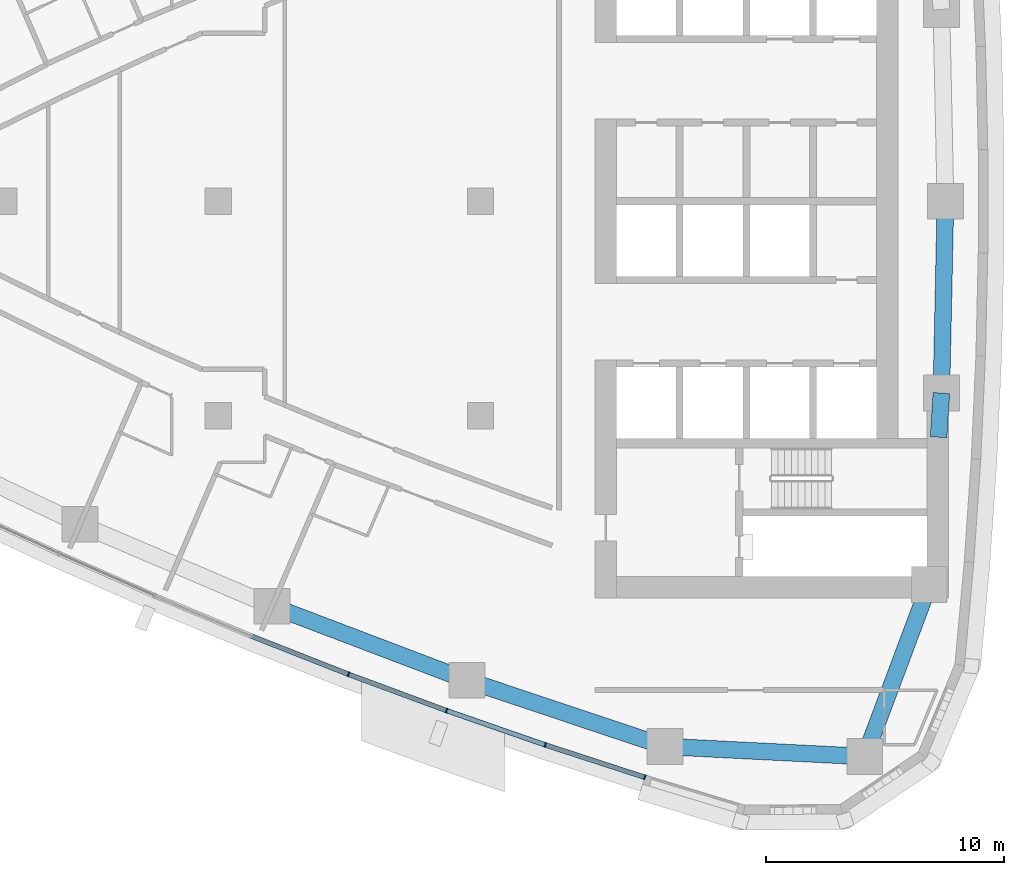
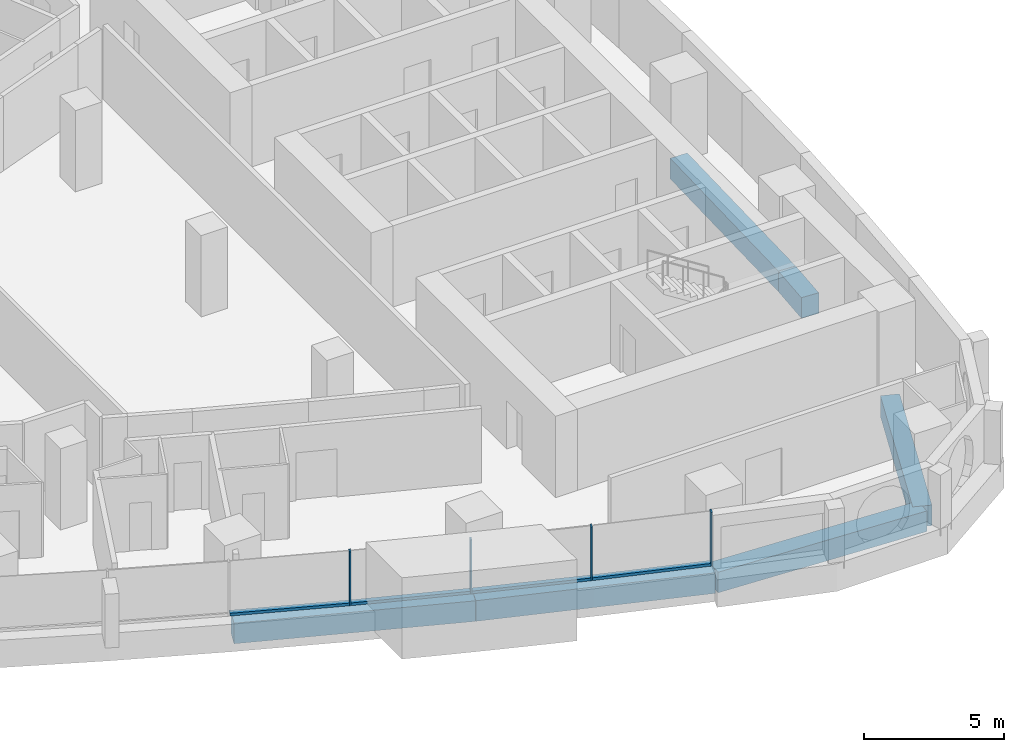
# One storey, part 3 of 16: 8 members, 6 beams, 2 elements without a shape of their own.
"""IFC4 building model written with IfcOpenShell, lengths in metres."""

import ifcopenshell
import ifcopenshell.guid

model = None  # the IFC model being written
_history = None  # IfcOwnerHistory: only IFC2X3 demands one
_inside = {}  # id of a spatial element -> (the spatial element, [elements in it])
_under = {}  # id of a project, library or spatial element -> (it, [spatial elements below it])
_declared = {}  # id of a project -> (the project, [libraries it declares])
_typed = {}  # id of a type object -> (the type object, [elements of that type])
_made_of = {}  # id of a material, layer set ... -> (it, [elements and type objects made of it])


def new_model(schema):
    """Start an empty IFC model of exactly this schema.

    Asked for "IFC4X3", IfcOpenShell would pick the latest addendum, in which some entities
    have other attributes; the version numbers below select the first issue.
    IFC2X3 requires an IfcOwnerHistory on every rooted entity: one is made here for all.
    """
    global model, _history
    if schema == "IFC4X3":
        model = ifcopenshell.file(schema_version=(4, 3, 0, 0))
    else:
        model = ifcopenshell.file(schema=schema)
    _inside.clear()
    _under.clear()
    _declared.clear()
    _typed.clear()
    _made_of.clear()
    _history = None
    if model.schema == "IFC2X3":
        org = make("IfcOrganization", Name="unknown")
        user = make(
            "IfcPersonAndOrganization",
            ThePerson=make("IfcPerson", FamilyName="unknown"),
            TheOrganization=org,
        )
        app = make(
            "IfcApplication",
            ApplicationDeveloper=org,
            Version="unknown",
            ApplicationFullName="unknown",
            ApplicationIdentifier="unknown",
        )
        _history = make(
            "IfcOwnerHistory",
            OwningUser=user,
            OwningApplication=app,
            ChangeAction="ADDED",
            CreationDate=0,
        )
    return model


def make(cls, **values):
    """One entity of the class cls with the attributes given. An attribute that is None is left unset."""
    return model.create_entity(
        cls, **{name: value for name, value in values.items() if value is not None}
    )


def rooted(cls, **values):
    """An entity with a GlobalId (a new one), such as an element, a storey or a relation."""
    return make(cls, GlobalId=ifcopenshell.guid.new(), OwnerHistory=_history, **values)


def si_unit(unit_type, name, prefix=None):
    """IfcSIUnit, for example si_unit("LENGTHUNIT", "METRE", prefix="MILLI")."""
    return make("IfcSIUnit", UnitType=unit_type, Prefix=prefix, Name=name)


def assignment(units):
    """IfcUnitAssignment: the units of a project."""
    return None if units is None else make("IfcUnitAssignment", Units=units)


def point(xyz):
    """IfcCartesianPoint."""
    return None if xyz is None else make("IfcCartesianPoint", Coordinates=xyz)


def direction(xyz):
    """IfcDirection."""
    return None if xyz is None else make("IfcDirection", DirectionRatios=xyz)


def frame(location, z_axis=None, x_axis=None):
    """IfcAxis2Placement3D, a coordinate frame: its origin and axes. An axis left out is left unset."""
    return make(
        "IfcAxis2Placement3D",
        Location=point(location),
        Axis=direction(z_axis),
        RefDirection=direction(x_axis),
    )


def frame_2d(location, x_axis=None):
    """IfcAxis2Placement2D, a coordinate frame in the plane: its origin and x axis."""
    return make(
        "IfcAxis2Placement2D", Location=point(location), RefDirection=direction(x_axis)
    )


def origin():
    """The frame at (0, 0, 0) with its axes left unset."""
    return frame((0.0, 0.0, 0.0))


def origin_2d():
    """The frame at (0, 0) in the plane with its x axis left unset."""
    return frame_2d((0.0, 0.0))


def place(relative_to, where):
    """IfcLocalPlacement: puts the frame where relative to a parent placement (None: the world)."""
    return make(
        "IfcLocalPlacement", PlacementRelTo=relative_to, RelativePlacement=where
    )


def context(
    kind, dimensions, precision=None, world=None, true_north=None, identifier=None
):
    """IfcGeometricRepresentationContext, for example the 3D "Model" context."""
    return make(
        "IfcGeometricRepresentationContext",
        ContextIdentifier=identifier,
        ContextType=kind,
        CoordinateSpaceDimension=dimensions,
        Precision=precision,
        WorldCoordinateSystem=world,
        TrueNorth=true_north,
    )


def subcontext(parent, identifier, kind, view, scale=None):
    """IfcGeometricRepresentationSubContext, for example "Body" below "Model"."""
    return make(
        "IfcGeometricRepresentationSubContext",
        ContextIdentifier=identifier,
        ContextType=kind,
        ParentContext=parent,
        TargetScale=scale,
        TargetView=view,
    )


def project(units=None, contexts=None):
    """IfcProject with its units and contexts."""
    return rooted(
        "IfcProject",
        Name="project",
        RepresentationContexts=contexts,
        UnitsInContext=assignment(units),
    )


def spatial(cls, under=None, at=None, **own):
    """A site, building, storey or space (cls), placed at a placement, below another one or the project."""
    s = rooted(cls, ObjectPlacement=at, **own)
    if under is not None:
        _under.setdefault(under.id(), (under, []))[1].append(s)
    return s


def profile(cls, at=None, kind="AREA", **sizes):
    """A parametric profile (cls). Its sizes go by their IFC names, for example OverallWidth=200.0."""
    return make(cls, ProfileType=kind, Position=at, **sizes)


def rectangle(**sizes):
    """IfcRectangleProfileDef."""
    return profile("IfcRectangleProfileDef", **sizes)


def extrude(swept, where, along, depth):
    """IfcExtrudedAreaSolid: the profile swept, set in the frame where, extruded along a direction by depth."""
    return make(
        "IfcExtrudedAreaSolid",
        SweptArea=swept,
        Position=where,
        ExtrudedDirection=direction(along),
        Depth=depth,
    )


def shape(context_of_items, identifier, shape_type, items):
    """IfcShapeRepresentation: the items that make up one representation, for example the "Body"."""
    return make(
        "IfcShapeRepresentation",
        ContextOfItems=context_of_items,
        RepresentationIdentifier=identifier,
        RepresentationType=shape_type,
        Items=items,
    )


def material(Name=None, Category=None):
    """IfcMaterial."""
    return make("IfcMaterial", Name=Name, Category=Category)


def layer(
    of_material, thickness, ventilated=None, Name=None, Category=None, Priority=None
):
    """IfcMaterialLayer: one layer of a wall or slab, of a material (None: an air gap)."""
    return make(
        "IfcMaterialLayer",
        Material=of_material,
        LayerThickness=thickness,
        IsVentilated=ventilated,
        Name=Name,
        Category=Category,
        Priority=Priority,
    )


def layer_set(layers, Name=None):
    """IfcMaterialLayerSet."""
    return make("IfcMaterialLayerSet", MaterialLayers=layers, LayerSetName=Name)


def material_profile(
    of_material, cross_section, Name=None, Category=None, Priority=None
):
    """IfcMaterialProfile: a cross section and its material."""
    return make(
        "IfcMaterialProfile",
        Name=Name,
        Material=of_material,
        Profile=cross_section,
        Priority=Priority,
        Category=Category,
    )


def profile_set(profiles, Name=None, composite=None):
    """IfcMaterialProfileSet."""
    return make(
        "IfcMaterialProfileSet",
        Name=Name,
        MaterialProfiles=profiles,
        CompositeProfile=composite,
    )


def made_of(thing, what):
    """Note that an element or type object is made of a material, layer set ...; save() writes the relation."""
    if what is not None:
        _made_of.setdefault(what.id(), (what, []))[1].append(thing)
    return thing


def type_object(cls, material=None, **own):
    """A type object (cls), such as IfcWallType, which elements share."""
    return made_of(rooted(cls, **own), material)


def element(
    cls,
    number,
    at=None,
    inside=None,
    cuts=None,
    type_object=None,
    material=None,
    context=None,
    identifier="Body",
    shape_type=None,
    held_by="IfcProductDefinitionShape",
    body=None,
    shapes=None,
    **own,
):
    """One element of the class cls, such as IfcWall. Its Tag is "e" and its number.

    at: its placement. inside: the storey or other place that contains it. cuts: it is an
    opening in that element (IfcRelVoidsElement). A single representation is given by context,
    identifier, shape_type and body (its items); several are given by shapes. held_by: the class
    of the entity that holds the representations. save() writes the other relations.
    """
    e = rooted(cls, Tag="e%d" % number, ObjectPlacement=at, **own)
    if body is not None:
        shapes = [shape(context, identifier, shape_type, body)]
    if shapes is not None:
        e.Representation = make(held_by, Representations=shapes)
    if inside is not None:
        _inside.setdefault(inside.id(), (inside, []))[1].append(e)
    if cuts is not None:
        rooted(
            "IfcRelVoidsElement", RelatingBuildingElement=cuts, RelatedOpeningElement=e
        )
    if type_object is not None:
        _typed.setdefault(type_object.id(), (type_object, []))[1].append(e)
    return made_of(e, material)


def aggregate(whole, parts):
    """IfcRelAggregates: a whole, such as a stair, and the parts it consists of."""
    return rooted("IfcRelAggregates", RelatingObject=whole, RelatedObjects=parts)


def save(model, path):
    """Write the relations noted so far, then the file.

    IfcRelAggregates (storeys below a building ...), IfcRelContainedInSpatialStructure (elements
    in a storey), IfcRelDefinesByType, IfcRelAssociatesMaterial and IfcRelDeclares: one each for
    every whole, place, type object, material and project.
    """
    for whole, parts in _under.values():
        aggregate(whole, parts)
    for where, things in _inside.values():
        rooted(
            "IfcRelContainedInSpatialStructure",
            RelatedElements=things,
            RelatingStructure=where,
        )
    for kind, things in _typed.values():
        rooted("IfcRelDefinesByType", RelatedObjects=things, RelatingType=kind)
    for what, things in _made_of.values():
        rooted("IfcRelAssociatesMaterial", RelatedObjects=things, RelatingMaterial=what)
    for by, libraries in _declared.values():
        rooted("IfcRelDeclares", RelatingContext=by, RelatedDefinitions=libraries)
    model.write(path)


model = new_model("IFC4")

# Units and contexts
model_context = context("Model", 3, precision=1e-05, world=origin(), true_north=direction((0.0, 1.0)))
body_context = subcontext(model_context, "Body", "Model", "MODEL_VIEW")
ifc_project = project(units=[si_unit("LENGTHUNIT", "METRE"), si_unit("AREAUNIT", "SQUARE_METRE"), si_unit("VOLUMEUNIT", "CUBIC_METRE"), si_unit("PLANEANGLEUNIT", "RADIAN"), si_unit("MASSUNIT", "GRAM", prefix="KILO")], contexts=[model_context])

# Site, building, storey
site_placement = place(None, origin())
site = spatial("IfcSite", under=ifc_project, at=site_placement, CompositionType="ELEMENT")
building_placement = place(site_placement, origin())
building = spatial("IfcBuilding", under=site, at=building_placement, Name="Ostrand Prow Hotel Tower", CompositionType="ELEMENT")
storey_placement = place(building_placement, frame((0.0, 0.0, 147.949951171875)))
storey = spatial("IfcBuildingStorey", under=building, at=storey_placement, Name="L36", CompositionType="ELEMENT", Elevation=147.949951171875)

# Beams
ifc_material_1 = material(Name="Concrete C70/85", Category="concrete")
ifc_material_profile_1 = material_profile(ifc_material_1, rectangle(XDim=0.699951171875, YDim=0.89990234375, at=origin_2d()), Name="RC 700x900")
ifc_profile_set_1 = profile_set([ifc_material_profile_1], Name="Concrete C70/85")
beam_type = type_object("IfcBeamType", Name="Edge beam 700x900 C70/85", PredefinedType="SPANDREL", material=ifc_profile_set_1)
for number, where, z_axis, x_axis, name in (
    (1, (36.255615234375, -16.98388671875, -0.75), (0.93479358236, -0.355191439055, 0.0), (0.355191439055, 0.93479358236, 0.0), "Edge beam S4-S5"),
    (2, (44.438232421875, -20.093017578125, -0.75), (0.948376051094, -0.317148018616, 0.0), (0.317148018616, 0.948376051094, 0.0), "Edge beam S5-S6"),
):
    element("IfcBeam", number, at=place(storey_placement, frame(where, z_axis=z_axis, x_axis=x_axis)), inside=storey, type_object=beam_type, Name=name, PredefinedType="SPANDREL", context=body_context, shape_type="SweptSolid", body=[
        extrude(rectangle(XDim=0.699951171875, YDim=0.89990234375, at=origin_2d()), origin(), (0.0, 0.0, 1.0), 8.75341796875),
    ])
beam_1_placement = place(storey_placement, frame((52.73974609375, -22.869140625, -0.75), z_axis=(0.99873741544, -0.050235196825, 0.0), x_axis=(0.050235196825, 0.99873741544, 0.0)))
element("IfcBeam", 3, at=beam_1_placement, inside=storey, type_object=beam_type, Name="Edge beam S6-SE", PredefinedType="SPANDREL", context=body_context, shape_type="SweptSolid", body=[
    extrude(rectangle(XDim=0.699951171875, YDim=0.89990234375, at=origin_2d()), origin(), (0.0, 0.0, 1.0), 8.38818359375),
])
beam_2_placement = place(storey_placement, frame((61.117431640625, -23.29052734375, -0.75), z_axis=(0.350602524344, 0.93652435629, 0.0), x_axis=(-0.93652435629, 0.350602524344, 0.0)))
element("IfcBeam", 4, at=beam_2_placement, inside=storey, type_object=beam_type, Name="Edge beam SE-B1", PredefinedType="SPANDREL", context=body_context, shape_type="SweptSolid", body=[
    extrude(rectangle(XDim=0.699951171875, YDim=0.89990234375, at=origin_2d()), origin(), (0.0, 0.0, 1.0), 7.037353515625),
])
beam_3_placement = place(storey_placement, frame((64.21142578125, -9.89990234375, -0.75), z_axis=(0.063563790544, 0.997977777574, 0.0), x_axis=(-0.997977777574, 0.063563790544, 0.0)))
element("IfcBeam", 5, at=beam_3_placement, inside=storey, type_object=beam_type, Name="Edge beam B1-B2", PredefinedType="SPANDREL", context=body_context, shape_type="SweptSolid", body=[
    extrude(rectangle(XDim=0.699951171875, YDim=0.89990234375, at=origin_2d()), origin(), (0.0, 0.0, 1.0), 1.85888671875),
])
beam_4_placement = place(storey_placement, frame((64.32958984375, -8.044677734375, -0.75), z_axis=(0.021178217658, 0.999775716397, 0.0), x_axis=(-0.999775716397, 0.021178217658, 0.0)))
element("IfcBeam", 6, at=beam_4_placement, inside=storey, type_object=beam_type, Name="Edge beam B2-B3", PredefinedType="SPANDREL", context=body_context, shape_type="SweptSolid", body=[
    extrude(rectangle(XDim=0.699951171875, YDim=0.89990234375, at=origin_2d()), origin(), (0.0, 0.0, 1.0), 8.04638671875),
])

# Curtain wall, members
ifc_material_2 = material(Name="Insulated glass in bronze anodised frame", Category="glass")
ifc_layer = layer(ifc_material_2, 0.199951171875)
ifc_layer_set = layer_set([ifc_layer], Name="Insulated glass in bronze anodised frame")
curtain_wall_type = type_object("IfcCurtainWallType", Name="Strip curtain wall, fritted glass over bronze spandrel", PredefinedType="NOTDEFINED", material=ifc_layer_set)
curtain_wall_1_placement = place(storey_placement, origin())
curtain_wall_1 = element("IfcCurtainWall", 7, at=curtain_wall_1_placement, inside=storey, type_object=curtain_wall_type, Name="CW1 run CWS4", PredefinedType="NOTDEFINED")
ifc_material_3 = material(Name="Bronze anodised aluminium", Category="aluminium")
ifc_material_profile_2 = material_profile(ifc_material_3, rectangle(XDim=0.199951171875, YDim=0.06005859375, at=origin_2d()), Name="Mullion 60x200 bronze anodised aluminium")
ifc_profile_set_2 = profile_set([ifc_material_profile_2], Name="Bronze anodised aluminium")
member_type_1 = type_object("IfcMemberType", Name="Mullion 60x200 bronze anodised aluminium", PredefinedType="MULLION", material=ifc_profile_set_2)
member_1_placement = place(storey_placement, frame((39.462158203125, -19.8408203125, 0.900146484375), z_axis=(0.0, 0.0, 1.0), x_axis=(0.347341576459, 0.937738678558, 0.0)))
member_1 = element("IfcMember", 8, at=member_1_placement, type_object=member_type_1, Name="CW1 mullion 2", PredefinedType="MULLION", context=body_context, shape_type="SweptSolid", body=[
    extrude(rectangle(XDim=0.199951171875, YDim=0.06005859375, at=origin_2d()), origin(), (0.0, 0.0, 1.0), 2.349853515625),
])
member_2_placement = place(storey_placement, frame((43.5751953125, -21.3642578125, 0.900146484375), z_axis=(0.0, 0.0, 1.0), x_axis=(0.347341576459, 0.937738678558, 0.0)))
member_2 = element("IfcMember", 9, at=member_2_placement, type_object=member_type_1, Name="CW1 mullion 3", PredefinedType="MULLION", context=body_context, shape_type="SweptSolid", body=[
    extrude(rectangle(XDim=0.199951171875, YDim=0.06005859375, at=origin_2d()), origin(), (0.0, 0.0, 1.0), 2.349853515625),
])

curtain_wall_2_placement = place(storey_placement, origin())
curtain_wall_2 = element("IfcCurtainWall", 10, at=curtain_wall_2_placement, inside=storey, type_object=curtain_wall_type, Name="CW1 run CWS5", PredefinedType="NOTDEFINED")
member_3_placement = place(storey_placement, frame((47.718017578125, -22.8046875, 0.900146484375), z_axis=(0.0, 0.0, 1.0), x_axis=(0.309380491373, 0.950938332153, 0.0)))
member_3 = element("IfcMember", 11, at=member_3_placement, type_object=member_type_1, Name="CW1 mullion 2", PredefinedType="MULLION", context=body_context, shape_type="SweptSolid", body=[
    extrude(rectangle(XDim=0.199951171875, YDim=0.06005859375, at=origin_2d()), origin(), (0.0, 0.0, 1.0), 2.349853515625),
])
member_4_placement = place(storey_placement, frame((51.888916015625, -24.16162109375, 0.900146484375), z_axis=(0.0, 0.0, 1.0), x_axis=(0.309380491373, 0.950938332153, 0.0)))
member_4 = element("IfcMember", 12, at=member_4_placement, type_object=member_type_1, Name="CW1 mullion 3", PredefinedType="MULLION", context=body_context, shape_type="SweptSolid", body=[
    extrude(rectangle(XDim=0.199951171875, YDim=0.06005859375, at=origin_2d()), origin(), (0.0, 0.0, 1.0), 2.349853515625),
])

# Member
ifc_material_4 = material(Name="Bronze anodised aluminium", Category="aluminium")
ifc_material_profile_3 = material_profile(ifc_material_4, rectangle(XDim=0.199951171875, YDim=0.1201171875, at=origin_2d()), Name="Transom 120x200 bronze anodised aluminium")
ifc_profile_set_3 = profile_set([ifc_material_profile_3], Name="Bronze anodised aluminium")
member_type_2 = type_object("IfcMemberType", Name="Transom 120x200 bronze anodised aluminium", PredefinedType="USERDEFINED", material=ifc_profile_set_3)
member_5_placement = place(storey_placement, frame((35.408447265625, -18.245849609375, 0.9599609375), z_axis=(0.930563430162, -0.366130717701, 0.0), x_axis=(0.366130717701, 0.930563430162, 0.0)))
member_5 = element("IfcMember", 13, at=member_5_placement, type_object=member_type_2, Name="CW1 transom 1.1", ObjectType="TRANSOM", PredefinedType="USERDEFINED", context=body_context, shape_type="SweptSolid", body=[
    extrude(rectangle(XDim=0.199951171875, YDim=0.1201171875, at=origin_2d()), origin(), (0.0, 0.0, 1.0), 4.326171875),
])

member_6_placement = place(storey_placement, frame((39.490234375, -19.851318359375, 0.9599609375), z_axis=(0.937756929379, -0.347292299657, 0.0), x_axis=(0.347292299657, 0.937756929379, 0.0)))
member_6 = element("IfcMember", 14, at=member_6_placement, type_object=member_type_2, Name="CW1 transom 2.1", ObjectType="TRANSOM", PredefinedType="USERDEFINED", context=body_context, shape_type="SweptSolid", body=[
    extrude(rectangle(XDim=0.199951171875, YDim=0.1201171875, at=origin_2d()), origin(), (0.0, 0.0, 1.0), 4.326171875),
])

aggregate(curtain_wall_1, [member_1, member_2, member_5, member_6])

member_7_placement = place(storey_placement, frame((43.603515625, -21.3740234375, 0.9599609375), z_axis=(0.944524201162, -0.328441826538, 0.0), x_axis=(0.328441826538, 0.944524201162, 0.0)))
member_7 = element("IfcMember", 15, at=member_7_placement, type_object=member_type_2, Name="CW1 transom 1.1", ObjectType="TRANSOM", PredefinedType="USERDEFINED", context=body_context, shape_type="SweptSolid", body=[
    extrude(rectangle(XDim=0.199951171875, YDim=0.1201171875, at=origin_2d()), origin(), (0.0, 0.0, 1.0), 4.326171875),
])

member_8_placement = place(storey_placement, frame((47.74658203125, -22.81396484375, 0.9599609375), z_axis=(0.950938634958, -0.309379560643, 0.0), x_axis=(0.309379560643, 0.950938634958, 0.0)))
member_8 = element("IfcMember", 16, at=member_8_placement, type_object=member_type_2, Name="CW1 transom 2.1", ObjectType="TRANSOM", PredefinedType="USERDEFINED", context=body_context, shape_type="SweptSolid", body=[
    extrude(rectangle(XDim=0.199951171875, YDim=0.1201171875, at=origin_2d()), origin(), (0.0, 0.0, 1.0), 4.325927734375),
])

aggregate(curtain_wall_2, [member_3, member_4, member_7, member_8])

save(model, "model.ifc")
